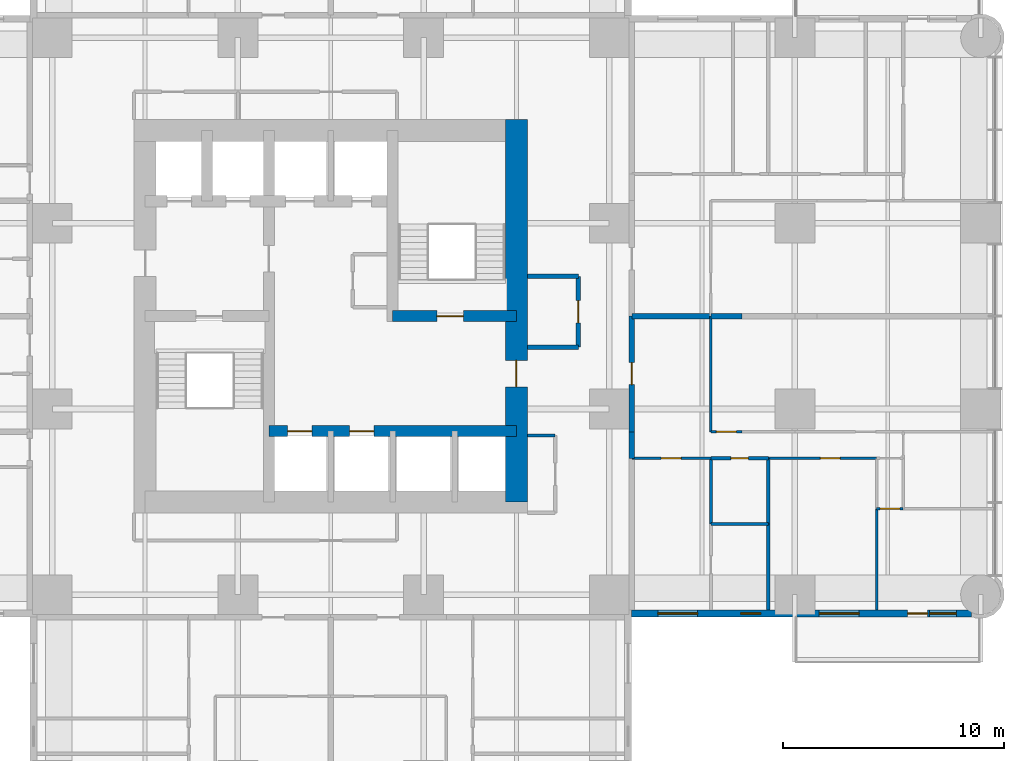
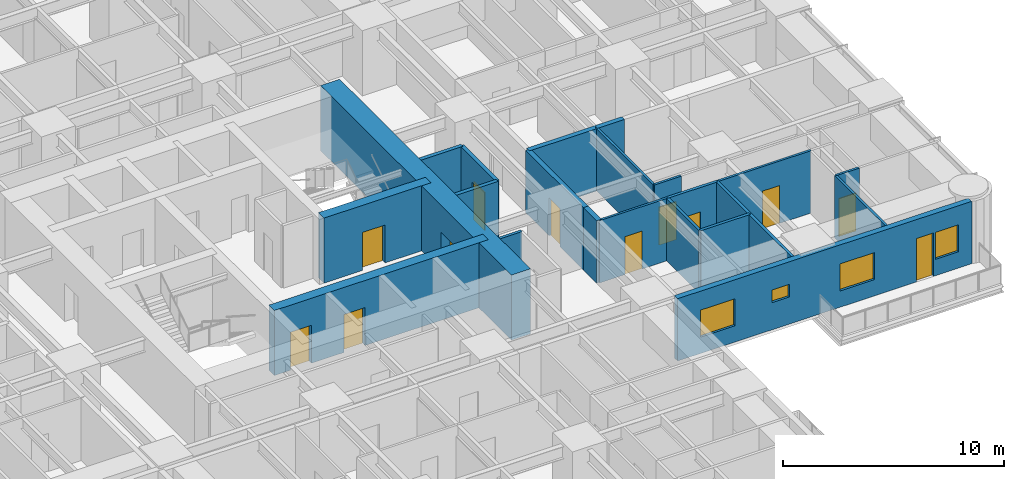
# One storey, part 10 of 17: 23 walls, 12 doors, 4 windows, 16 openings.
"""IFC4 building model written with IfcOpenShell, lengths in metres."""

from ifc_helpers import new_model, si_unit, direction, frame, frame_2d, origin, place, context, subcontext, project, spatial, rectangle, extrude, material, layer, layer_set, type_object, element, fill, save


model = new_model("IFC4")

# Units and contexts
model_context = context("Model", 3, precision=1e-05, world=origin(), true_north=direction((0.0, 1.0)))
body_context = subcontext(model_context, "Body", "Model", "MODEL_VIEW")
ifc_project = project(units=[si_unit("LENGTHUNIT", "METRE"), si_unit("AREAUNIT", "SQUARE_METRE"), si_unit("VOLUMEUNIT", "CUBIC_METRE"), si_unit("PLANEANGLEUNIT", "RADIAN"), si_unit("MASSUNIT", "GRAM", prefix="KILO")], contexts=[model_context])

# Site, building, storey
site_placement = place(None, origin())
site = spatial("IfcSite", under=ifc_project, at=site_placement, CompositionType="ELEMENT")
building_placement = place(site_placement, origin())
building = spatial("IfcBuilding", under=site, at=building_placement, Name="Torre Alcanfor", CompositionType="ELEMENT")
storey_placement = place(building_placement, frame((0.0, 0.0, 81.300048828125)))
storey = spatial("IfcBuildingStorey", under=building, at=storey_placement, Name="L20", CompositionType="ELEMENT", Elevation=81.300048828125)

# Wall, opening, door
ifc_material_1 = material(Name="Concrete block masonry, hollow blocks NMX-C-404 9 MPa", Category="masonry")
ifc_layer_1 = layer(ifc_material_1, 0.25)
ifc_layer_set_1 = layer_set([ifc_layer_1], Name="Apartment entrance wall 250 EI 60")
wall_type_1 = type_object("IfcWallType", Name="Apartment entrance wall 250 EI 60", PredefinedType="PARTITIONING", material=ifc_layer_set_1)
wall_1_placement = place(storey_placement, frame((43.02490234375, 29.39990234375, 0.0), z_axis=(0.0, 0.0, 1.0), x_axis=(0.0, -1.0, 0.0)))
wall_1 = element("IfcWall", 1, at=wall_1_placement, inside=storey, type_object=wall_type_1, Name="Partition L20-CORR / L20-E2-ZAG", PredefinedType="PARTITIONING", context=body_context, shape_type="SweptSolid", body=[
    extrude(rectangle(XDim=5.22900390625, YDim=0.25, at=frame_2d((2.614501953125, 0.0))), origin(), (0.0, 0.0, 1.0), 3.449951171875),
])
opening_1_placement = place(wall_1_placement, frame((2.10009765625, 0.0, 0.0)))
opening_1 = element("IfcOpeningElement", 2, at=opening_1_placement, cuts=wall_1, Name="Opening D-A1", PredefinedType="OPENING", context=body_context, shape_type="SweptSolid", body=[
    extrude(rectangle(XDim=1.0, YDim=2.10009765625, at=frame_2d((0.5, 1.050048828125))), frame((0.0, 0.135009765625, 0.0), z_axis=(0.0, -1.0, 0.0), x_axis=(1.0, 0.0, 0.0)), (0.0, 0.0, 1.0), 0.27001953125),
])
ifc_material_2 = material(Name="Galvanised steel sheet ASTM A653", Category="steel")
door_type_1 = type_object("IfcDoorType", Name="Apartment entrance door FD60 1000x2100", OperationType="SINGLE_SWING_LEFT", PredefinedType="DOOR", material=ifc_material_2)
door_1_placement = place(opening_1_placement, origin())
door_1 = element("IfcDoor", 3, at=door_1_placement, inside=storey, type_object=door_type_1, Name="Apartment entrance L20-E2", OperationType="SINGLE_SWING_LEFT", OverallHeight=2.10009765625, OverallWidth=1.0, PredefinedType="DOOR", context=body_context, shape_type="SweptSolid", body=[
    extrude(rectangle(XDim=1.0, YDim=2.10009765625, at=frame_2d((0.5, 1.050048828125))), frame((0.0, 0.02490234375, 0.0), z_axis=(0.0, -1.0, 0.0), x_axis=(1.0, 0.0, 0.0)), (0.0, 0.0, 1.0), 0.050048828125),
])
fill(opening_1, door_1)

# Walls
wall_2_placement = place(storey_placement, frame((43.02490234375, 24.1708984375, 0.0), z_axis=(0.0, 0.0, 1.0), x_axis=(0.0, -1.0, 0.0)))
element("IfcWall", 4, at=wall_2_placement, inside=storey, type_object=wall_type_1, Name="Partition L20-CORR / L20-E2-HALL", PredefinedType="PARTITIONING", context=body_context, shape_type="SweptSolid", body=[
    extrude(rectangle(XDim=1.199951171875, YDim=0.25, at=frame_2d((0.60009765625, 0.0))), origin(), (0.0, 0.0, 1.0), 3.449951171875),
])
ifc_material_3 = material(Name="Gypsum board on steel studs", Category="steel")
ifc_layer_2 = layer(ifc_material_3, 0.1201171875)
ifc_layer_set_2 = layer_set([ifc_layer_2], Name="Apartment partition 120")
wall_type_2 = type_object("IfcWallType", Name="Apartment partition 120", PredefinedType="PARTITIONING", material=ifc_layer_set_2)
wall_3_placement = place(storey_placement, frame((46.60009765625, 29.39990234375, 0.0), z_axis=(0.0, 0.0, 1.0), x_axis=(0.0, -1.0, 0.0)))
element("IfcWall", 5, at=wall_3_placement, inside=storey, type_object=wall_type_2, Name="Partition L20-E2-ZAG / L20-E2-LAUND", PredefinedType="PARTITIONING", context=body_context, shape_type="SweptSolid", body=[
    extrude(rectangle(XDim=5.22900390625, YDim=0.1201171875, at=frame_2d((2.614501953125, 0.0))), origin(), (0.0, 0.0, 1.0), 3.449951171875),
])

# Wall, opening, door
wall_4_placement = place(storey_placement, frame((48.0, 24.1708984375, 0.0), z_axis=(0.0, 0.0, 1.0), x_axis=(-1.0, 0.0, 0.0)))
wall_4 = element("IfcWall", 6, at=wall_4_placement, inside=storey, type_object=wall_type_2, Name="Partition L20-E2-LAUND / L20-E2-HALL", PredefinedType="PARTITIONING", context=body_context, shape_type="SweptSolid", body=[
    extrude(rectangle(XDim=1.39990234375, YDim=0.1201171875, at=frame_2d((0.699951171875, 0.0))), origin(), (0.0, 0.0, 1.0), 3.449951171875),
])
opening_2_placement = place(wall_4_placement, frame((0.25, 0.0, 0.0)))
opening_2 = element("IfcOpeningElement", 7, at=opening_2_placement, cuts=wall_4, Name="Opening D-R1", PredefinedType="OPENING", context=body_context, shape_type="SweptSolid", body=[
    extrude(rectangle(XDim=0.89990234375, YDim=2.10009765625, at=frame_2d((0.449951171875, 1.050048828125))), frame((0.0, 0.070068359375, 0.0), z_axis=(0.0, -1.0, 0.0), x_axis=(1.0, 0.0, 0.0)), (0.0, 0.0, 1.0), 0.14013671875),
])
ifc_material_4 = material(Name="Timber", Category="wood")
door_type_2 = type_object("IfcDoorType", Name="Internal door 900x2100", OperationType="SINGLE_SWING_LEFT", PredefinedType="DOOR", material=ifc_material_4)
door_2_placement = place(opening_2_placement, frame((0.89990234375, 0.0, 0.0), z_axis=(0.0, 0.0, 1.0), x_axis=(-1.0, 0.0, 0.0)))
door_2 = element("IfcDoor", 8, at=door_2_placement, inside=storey, type_object=door_type_2, Name="Door L20-E2 laund", OperationType="SINGLE_SWING_RIGHT", OverallHeight=2.10009765625, OverallWidth=0.89990234375, PredefinedType="DOOR", context=body_context, shape_type="SweptSolid", body=[
    extrude(rectangle(XDim=0.89990234375, YDim=2.10009765625, at=frame_2d((0.449951171875, 1.050048828125))), frame((0.0, 0.025146484375, 0.0), z_axis=(0.0, -1.0, 0.0), x_axis=(1.0, 0.0, 0.0)), (0.0, 0.0, 1.0), 0.050048828125),
])
fill(opening_2, door_2)

wall_5_placement = place(storey_placement, frame((46.60009765625, 22.970947265625, 0.0), z_axis=(0.0, 0.0, 1.0), x_axis=(-1.0, 0.0, 0.0)))
wall_5 = element("IfcWall", 9, at=wall_5_placement, inside=storey, type_object=wall_type_2, Name="Partition L20-E2-HALL / L20-E2-SERV", PredefinedType="PARTITIONING", context=body_context, shape_type="SweptSolid", body=[
    extrude(rectangle(XDim=3.5751953125, YDim=0.1201171875, at=frame_2d((1.78759765625, 0.0))), origin(), (0.0, 0.0, 1.0), 3.449951171875),
])
opening_3_placement = place(wall_5_placement, frame((1.35009765625, 0.0, 0.0)))
opening_3 = element("IfcOpeningElement", 10, at=opening_3_placement, cuts=wall_5, Name="Opening D-R1", PredefinedType="OPENING", context=body_context, shape_type="SweptSolid", body=[
    extrude(rectangle(XDim=0.89990234375, YDim=2.10009765625, at=frame_2d((0.449951171875, 1.050048828125))), frame((0.0, 0.070068359375, 0.0), z_axis=(0.0, -1.0, 0.0), x_axis=(1.0, 0.0, 0.0)), (0.0, 0.0, 1.0), 0.14013671875),
])
door_3_placement = place(opening_3_placement, origin())
door_3 = element("IfcDoor", 11, at=door_3_placement, inside=storey, type_object=door_type_2, Name="Door L20-E2 serv", OperationType="SINGLE_SWING_RIGHT", OverallHeight=2.10009765625, OverallWidth=0.89990234375, PredefinedType="DOOR", context=body_context, shape_type="SweptSolid", body=[
    extrude(rectangle(XDim=0.89990234375, YDim=2.10009765625, at=frame_2d((0.449951171875, 1.050048828125))), frame((0.0, 0.02490234375, 0.0), z_axis=(0.0, -1.0, 0.0), x_axis=(1.0, 0.0, 0.0)), (0.0, 0.0, 1.0), 0.050048828125),
])
fill(opening_3, door_3)

wall_6_placement = place(storey_placement, frame((54.10009765625, 22.970947265625, 0.0), z_axis=(0.0, 0.0, 1.0), x_axis=(-1.0, 0.0, 0.0)))
wall_6 = element("IfcWall", 12, at=wall_6_placement, inside=storey, type_object=wall_type_2, Name="Partition L20-E2-HALL / L20-E2-BED3", PredefinedType="PARTITIONING", context=body_context, shape_type="SweptSolid", body=[
    extrude(rectangle(XDim=4.900146484375, YDim=0.1201171875, at=frame_2d((2.4501953125, 0.0))), origin(), (0.0, 0.0, 1.0), 3.449951171875),
])
opening_4_placement = place(wall_6_placement, frame((1.64990234375, 0.0, 0.0)))
opening_4 = element("IfcOpeningElement", 13, at=opening_4_placement, cuts=wall_6, Name="Opening D-R1", PredefinedType="OPENING", context=body_context, shape_type="SweptSolid", body=[
    extrude(rectangle(XDim=0.89990234375, YDim=2.10009765625, at=frame_2d((0.449951171875, 1.050048828125))), frame((0.0, 0.070068359375, 0.0), z_axis=(0.0, -1.0, 0.0), x_axis=(1.0, 0.0, 0.0)), (0.0, 0.0, 1.0), 0.14013671875),
])
door_4_placement = place(opening_4_placement, origin())
door_4 = element("IfcDoor", 14, at=door_4_placement, inside=storey, type_object=door_type_2, Name="Door L20-E2 bed3", OperationType="SINGLE_SWING_LEFT", OverallHeight=2.10009765625, OverallWidth=0.89990234375, PredefinedType="DOOR", context=body_context, shape_type="SweptSolid", body=[
    extrude(rectangle(XDim=0.89990234375, YDim=2.10009765625, at=frame_2d((0.449951171875, 1.050048828125))), frame((0.0, 0.02490234375, 0.0), z_axis=(0.0, -1.0, 0.0), x_axis=(1.0, 0.0, 0.0)), (0.0, 0.0, 1.0), 0.050048828125),
])
fill(opening_4, door_4)

# Wall
wall_7_placement = place(storey_placement, frame((54.10009765625, 20.68603515625, 0.0), z_axis=(0.0, 0.0, 1.0), x_axis=(0.0, -1.0, 0.0)))
element("IfcWall", 15, at=wall_7_placement, inside=storey, type_object=wall_type_2, Name="Partition L20-E2-BED3 / L20-E2-MASTER", PredefinedType="PARTITIONING", context=body_context, shape_type="SweptSolid", body=[
    extrude(rectangle(XDim=4.5859375, YDim=0.1201171875, at=frame_2d((2.29296875, 0.0))), origin(), (0.0, 0.0, 1.0), 3.449951171875),
])

# Wall, opening, door
wall_8_placement = place(storey_placement, frame((55.300048828125, 20.68603515625, 0.0), z_axis=(0.0, 0.0, 1.0), x_axis=(-1.0, 0.0, 0.0)))
wall_8 = element("IfcWall", 16, at=wall_8_placement, inside=storey, type_object=wall_type_2, Name="Partition L20-E2-VEST / L20-E2-MASTER", PredefinedType="PARTITIONING", context=body_context, shape_type="SweptSolid", body=[
    extrude(rectangle(XDim=1.199951171875, YDim=0.1201171875, at=frame_2d((0.60009765625, 0.0))), origin(), (0.0, 0.0, 1.0), 3.449951171875),
])
opening_5_placement = place(wall_8_placement, frame((0.14990234375, 0.0, 0.0)))
opening_5 = element("IfcOpeningElement", 17, at=opening_5_placement, cuts=wall_8, Name="Opening D-R1", PredefinedType="OPENING", context=body_context, shape_type="SweptSolid", body=[
    extrude(rectangle(XDim=0.89990234375, YDim=2.10009765625, at=frame_2d((0.449951171875, 1.050048828125))), frame((0.0, 0.070068359375, 0.0), z_axis=(0.0, -1.0, 0.0), x_axis=(1.0, 0.0, 0.0)), (0.0, 0.0, 1.0), 0.14013671875),
])
door_5_placement = place(opening_5_placement, frame((0.89990234375, 0.0, 0.0), z_axis=(0.0, 0.0, 1.0), x_axis=(-1.0, 0.0, 0.0)))
door_5 = element("IfcDoor", 18, at=door_5_placement, inside=storey, type_object=door_type_2, Name="Door L20-E2 master", OperationType="SINGLE_SWING_RIGHT", OverallHeight=2.10009765625, OverallWidth=0.89990234375, PredefinedType="DOOR", context=body_context, shape_type="SweptSolid", body=[
    extrude(rectangle(XDim=0.89990234375, YDim=2.10009765625, at=frame_2d((0.449951171875, 1.050048828125))), frame((0.0, 0.025146484375, 0.0), z_axis=(0.0, -1.0, 0.0), x_axis=(1.0, 0.0, 0.0)), (0.0, 0.0, 1.0), 0.050048828125),
])
fill(opening_5, door_5)

# Wall, openings, doors
ifc_material_5 = material(Name="Concrete f'c 70 MPa", Category="concrete")
ifc_layer_3 = layer(ifc_material_5, 0.5)
ifc_layer_set_3 = layer_set([ifc_layer_3], Name="Core inner wall 500 f'c70")
wall_type_3 = type_object("IfcWallType", Name="Core inner wall 500 f'c70", PredefinedType="SHEAR", material=ifc_layer_set_3)
wall_9_placement = place(storey_placement, frame((26.60009765625, 24.199951171875, 0.0), z_axis=(0.0, 0.0, 1.0), x_axis=(1.0, 0.0, 0.0)))
wall_9 = element("IfcWall", 19, at=wall_9_placement, inside=storey, type_object=wall_type_3, Name="Core wall Y242 L20", PredefinedType="SHEAR", context=body_context, shape_type="SweptSolid", body=[
    extrude(rectangle(XDim=11.199951171875, YDim=0.5, at=frame_2d((5.60009765625, 0.0))), origin(), (0.0, 0.0, 1.0), 3.599853515625),
])
opening_6_placement = place(wall_9_placement, frame((0.85009765625, 0.0, 0.0)))
opening_6 = element("IfcOpeningElement", 20, at=opening_6_placement, cuts=wall_9, Name="Opening LD1", PredefinedType="OPENING", context=body_context, shape_type="SweptSolid", body=[
    extrude(rectangle(XDim=1.10009765625, YDim=2.10009765625, at=frame_2d((0.550048828125, 1.050048828125))), frame((0.0, 0.260009765625, 0.0), z_axis=(0.0, -1.0, 0.0), x_axis=(1.0, 0.0, 0.0)), (0.0, 0.0, 1.0), 0.52001953125),
])
opening_7_placement = place(wall_9_placement, frame((3.64990234375, 0.0, 0.0)))
opening_7 = element("IfcOpeningElement", 21, at=opening_7_placement, cuts=wall_9, Name="Opening LD1", PredefinedType="OPENING", context=body_context, shape_type="SweptSolid", body=[
    extrude(rectangle(XDim=1.10009765625, YDim=2.10009765625, at=frame_2d((0.550048828125, 1.050048828125))), frame((0.0, 0.260009765625, 0.0), z_axis=(0.0, -1.0, 0.0), x_axis=(1.0, 0.0, 0.0)), (0.0, 0.0, 1.0), 0.52001953125),
])
ifc_material_6 = material(Name="Galvanised steel sheet ASTM A653", Category="steel")
door_type_3 = type_object("IfcDoorType", Name="Lift landing door 1100x2100", OperationType="DOUBLE_DOOR_SLIDING", PredefinedType="DOOR", material=ifc_material_6)
door_6_placement = place(opening_6_placement, origin())
door_6 = element("IfcDoor", 22, at=door_6_placement, inside=storey, type_object=door_type_3, Name="Lift landing door PA1 L20", OperationType="DOUBLE_DOOR_SLIDING", OverallHeight=2.10009765625, OverallWidth=1.10009765625, PredefinedType="DOOR", context=body_context, shape_type="SweptSolid", body=[
    extrude(rectangle(XDim=1.10009765625, YDim=2.10009765625, at=frame_2d((0.550048828125, 1.050048828125))), frame((0.0, 0.02490234375, 0.0), z_axis=(0.0, -1.0, 0.0), x_axis=(1.0, 0.0, 0.0)), (0.0, 0.0, 1.0), 0.050048828125),
])
fill(opening_6, door_6)
door_7_placement = place(opening_7_placement, origin())
door_7 = element("IfcDoor", 23, at=door_7_placement, inside=storey, type_object=door_type_3, Name="Lift landing door PA2 L20", OperationType="DOUBLE_DOOR_SLIDING", OverallHeight=2.10009765625, OverallWidth=1.10009765625, PredefinedType="DOOR", context=body_context, shape_type="SweptSolid", body=[
    extrude(rectangle(XDim=1.10009765625, YDim=2.10009765625, at=frame_2d((0.550048828125, 1.050048828125))), frame((0.0, 0.02490234375, 0.0), z_axis=(0.0, -1.0, 0.0), x_axis=(1.0, 0.0, 0.0)), (0.0, 0.0, 1.0), 0.050048828125),
])
fill(opening_7, door_7)

# Wall, opening, door
wall_10_placement = place(storey_placement, frame((32.199951171875, 29.39990234375, 0.0), z_axis=(0.0, 0.0, 1.0), x_axis=(1.0, 0.0, 0.0)))
wall_10 = element("IfcWall", 24, at=wall_10_placement, inside=storey, type_object=wall_type_3, Name="Core wall Y294E L20", PredefinedType="SHEAR", context=body_context, shape_type="SweptSolid", body=[
    extrude(rectangle(XDim=5.60009765625, YDim=0.5, at=frame_2d((2.800048828125, 0.0))), origin(), (0.0, 0.0, 1.0), 3.599853515625),
])
opening_8_placement = place(wall_10_placement, frame((2.0, 0.0, 0.0)))
opening_8 = element("IfcOpeningElement", 25, at=opening_8_placement, cuts=wall_10, Name="Opening D-S2", PredefinedType="OPENING", context=body_context, shape_type="SweptSolid", body=[
    extrude(rectangle(XDim=1.199951171875, YDim=2.10009765625, at=frame_2d((0.60009765625, 1.050048828125))), frame((0.0, 0.260009765625, 0.0), z_axis=(0.0, -1.0, 0.0), x_axis=(1.0, 0.0, 0.0)), (0.0, 0.0, 1.0), 0.52001953125),
])
ifc_material_7 = material(Name="Galvanised steel sheet ASTM A653", Category="steel")
door_type_4 = type_object("IfcDoorType", Name="Stair enclosure door FD120 1200x2100", OperationType="SINGLE_SWING_LEFT", PredefinedType="DOOR", material=ifc_material_7)
door_8_placement = place(opening_8_placement, origin())
door_8 = element("IfcDoor", 26, at=door_8_placement, inside=storey, type_object=door_type_4, Name="Stair S2 door L20", OperationType="SINGLE_SWING_LEFT", OverallHeight=2.10009765625, OverallWidth=1.199951171875, PredefinedType="DOOR", context=body_context, shape_type="SweptSolid", body=[
    extrude(rectangle(XDim=1.199951171875, YDim=2.10009765625, at=frame_2d((0.60009765625, 1.050048828125))), frame((0.0, 0.02490234375, 0.0), z_axis=(0.0, -1.0, 0.0), x_axis=(1.0, 0.0, 0.0)), (0.0, 0.0, 1.0), 0.050048828125),
])
fill(opening_8, door_8)

ifc_material_8 = material(Name="Concrete f'c 70 MPa", Category="concrete")
ifc_layer_4 = layer(ifc_material_8, 1.0)
ifc_layer_set_4 = layer_set([ifc_layer_4], Name="Core wall 1000 f'c70")
wall_type_4 = type_object("IfcWallType", Name="Core wall 1000 f'c70", PredefinedType="SHEAR", material=ifc_layer_set_4)
wall_11_placement = place(storey_placement, frame((37.800048828125, 21.0, 0.0), z_axis=(0.0, 0.0, 1.0), x_axis=(0.0, 1.0, 0.0)))
wall_11 = element("IfcWall", 27, at=wall_11_placement, inside=storey, type_object=wall_type_4, Name="Core wall OUT-E L20", PredefinedType="SHEAR", context=body_context, shape_type="SweptSolid", body=[
    extrude(rectangle(XDim=17.300048828125, YDim=1.0, at=frame_2d((8.64990234375, 0.0))), origin(), (0.0, 0.0, 1.0), 3.599853515625),
])
opening_9_placement = place(wall_11_placement, frame((5.199951171875, 0.0, 0.0)))
opening_9 = element("IfcOpeningElement", 28, at=opening_9_placement, cuts=wall_11, Name="Opening D-L1", PredefinedType="OPENING", context=body_context, shape_type="SweptSolid", body=[
    extrude(rectangle(XDim=1.199951171875, YDim=2.10009765625, at=frame_2d((0.60009765625, 1.050048828125))), frame((0.0, 0.510009765625, 0.0), z_axis=(0.0, -1.0, 0.0), x_axis=(1.0, 0.0, 0.0)), (0.0, 0.0, 1.0), 1.02001953125),
])
ifc_material_9 = material(Name="Galvanised steel sheet ASTM A653", Category="steel")
door_type_5 = type_object("IfcDoorType", Name="Lobby door FD120 1200x2100", OperationType="SINGLE_SWING_LEFT", PredefinedType="DOOR", material=ifc_material_9)
door_9_placement = place(opening_9_placement, origin())
door_9 = element("IfcDoor", 29, at=door_9_placement, inside=storey, type_object=door_type_5, Name="Lift lobby entrance door L20", OperationType="SINGLE_SWING_LEFT", OverallHeight=2.10009765625, OverallWidth=1.199951171875, PredefinedType="DOOR", context=body_context, shape_type="SweptSolid", body=[
    extrude(rectangle(XDim=1.199951171875, YDim=2.10009765625, at=frame_2d((0.60009765625, 1.050048828125))), frame((0.0, 0.02490234375, 0.0), z_axis=(0.0, -1.0, 0.0), x_axis=(1.0, 0.0, 0.0)), (0.0, 0.0, 1.0), 0.050048828125),
])
fill(opening_9, door_9)

# Wall, openings, door, windows
ifc_material_10 = material(Name="Limestone cladding", Category="masonry")
ifc_layer_5 = layer(ifc_material_10, 0.0400390625, Name="Facing")
ifc_material_11 = material(Name="Ventilated air cavity")
ifc_layer_6 = layer(ifc_material_11, 0.02001953125, ventilated=True, Name="Ventilated joint")
ifc_material_12 = material(Name="Mineral wool insulation", Category="insulation")
ifc_layer_7 = layer(ifc_material_12, 0.10009765625, Name="Insulation")
ifc_material_13 = material(Name="Concrete f'c 35 MPa", Category="concrete")
ifc_layer_8 = layer(ifc_material_13, 0.139892578125, Name="Backing")
ifc_layer_set_5 = layer_set([ifc_layer_5, ifc_layer_6, ifc_layer_7, ifc_layer_8], Name="External wall stone-clad 300")
wall_type_5 = type_object("IfcWallType", Name="External wall stone-clad 300", PredefinedType="SOLIDWALL", material=ifc_layer_set_5)
wall_12_placement = place(storey_placement, frame((43.0, 15.949951171875, 0.0), z_axis=(0.0, 0.0, 1.0), x_axis=(1.0, 0.0, 0.0)))
wall_12 = element("IfcWall", 30, at=wall_12_placement, inside=storey, type_object=wall_type_5, Name="External wall L20 7", PredefinedType="SOLIDWALL", context=body_context, shape_type="SweptSolid", body=[
    extrude(rectangle(XDim=15.39990234375, YDim=0.300048828125, at=frame_2d((7.699951171875, 0.0))), origin(), (0.0, 0.0, 1.0), 3.449951171875),
])
opening_10_placement = place(wall_12_placement, frame((1.199951171875, 0.0, 0.89990234375)))
opening_10 = element("IfcOpeningElement", 31, at=opening_10_placement, cuts=wall_12, Name="Opening W2", PredefinedType="OPENING", context=body_context, shape_type="SweptSolid", body=[
    extrude(rectangle(XDim=1.800048828125, YDim=1.5, at=frame_2d((0.89990234375, 0.75))), frame((0.0, 0.159912109375, 0.0), z_axis=(0.0, -1.0, 0.0), x_axis=(1.0, 0.0, 0.0)), (0.0, 0.0, 1.0), 0.320068359375),
])
opening_11_placement = place(wall_12_placement, frame((4.949951171875, 0.0, 1.5)))
opening_11 = element("IfcOpeningElement", 32, at=opening_11_placement, cuts=wall_12, Name="Opening W3", PredefinedType="OPENING", context=body_context, shape_type="SweptSolid", body=[
    extrude(rectangle(XDim=0.89990234375, YDim=0.699951171875, at=frame_2d((0.449951171875, 0.35009765625))), frame((0.0, 0.159912109375, 0.0), z_axis=(0.0, -1.0, 0.0), x_axis=(1.0, 0.0, 0.0)), (0.0, 0.0, 1.0), 0.320068359375),
])
opening_12_placement = place(wall_12_placement, frame((8.5, 0.0, 0.89990234375)))
opening_12 = element("IfcOpeningElement", 33, at=opening_12_placement, cuts=wall_12, Name="Opening W2", PredefinedType="OPENING", context=body_context, shape_type="SweptSolid", body=[
    extrude(rectangle(XDim=1.800048828125, YDim=1.5, at=frame_2d((0.89990234375, 0.75))), frame((0.0, 0.159912109375, 0.0), z_axis=(0.0, -1.0, 0.0), x_axis=(1.0, 0.0, 0.0)), (0.0, 0.0, 1.0), 0.320068359375),
])
opening_13_placement = place(wall_12_placement, frame((12.5, 0.0, 0.0)))
opening_13 = element("IfcOpeningElement", 34, at=opening_13_placement, cuts=wall_12, Name="Opening D-B1", PredefinedType="OPENING", context=body_context, shape_type="SweptSolid", body=[
    extrude(rectangle(XDim=0.89990234375, YDim=2.39990234375, at=frame_2d((0.449951171875, 1.199951171875))), frame((0.0, 0.159912109375, 0.0), z_axis=(0.0, -1.0, 0.0), x_axis=(1.0, 0.0, 0.0)), (0.0, 0.0, 1.0), 0.320068359375),
])
opening_14_placement = place(wall_12_placement, frame((13.5, 0.0, 0.89990234375)))
opening_14 = element("IfcOpeningElement", 35, at=opening_14_placement, cuts=wall_12, Name="Opening W4", PredefinedType="OPENING", context=body_context, shape_type="SweptSolid", body=[
    extrude(rectangle(XDim=1.199951171875, YDim=1.5, at=frame_2d((0.60009765625, 0.75))), frame((0.0, 0.159912109375, 0.0), z_axis=(0.0, -1.0, 0.0), x_axis=(1.0, 0.0, 0.0)), (0.0, 0.0, 1.0), 0.320068359375),
])
ifc_material_14 = material(Name="Aluminium and glass", Category="aluminium")
door_type_6 = type_object("IfcDoorType", Name="Balcony door glazed 900x2400", OperationType="SINGLE_SWING_LEFT", PredefinedType="DOOR", material=ifc_material_14)
door_10_placement = place(opening_13_placement, origin())
door_10 = element("IfcDoor", 36, at=door_10_placement, inside=storey, type_object=door_type_6, Name="Balcony door L20-E2", OperationType="SINGLE_SWING_LEFT", OverallHeight=2.39990234375, OverallWidth=0.89990234375, PredefinedType="DOOR", context=body_context, shape_type="SweptSolid", body=[
    extrude(rectangle(XDim=0.89990234375, YDim=2.39990234375, at=frame_2d((0.449951171875, 1.199951171875))), frame((0.0, 0.02490234375, 0.0), z_axis=(0.0, -1.0, 0.0), x_axis=(1.0, 0.0, 0.0)), (0.0, 0.0, 1.0), 0.050048828125),
])
fill(opening_13, door_10)
ifc_material_15 = material(Name="Aluminium frame with clear double glazing", Category="aluminium")
window_type_1 = type_object("IfcWindowType", Name="Window bathroom 900x700", PartitioningType="SINGLE_PANEL", PredefinedType="WINDOW", material=ifc_material_15)
window_1_placement = place(opening_11_placement, origin())
window_1 = element("IfcWindow", 37, at=window_1_placement, inside=storey, type_object=window_type_1, Name="Window W3 L20-E2", OverallHeight=0.699951171875, OverallWidth=0.89990234375, PartitioningType="SINGLE_PANEL", PredefinedType="WINDOW", context=body_context, shape_type="SweptSolid", body=[
    extrude(rectangle(XDim=0.89990234375, YDim=0.699951171875, at=frame_2d((0.449951171875, 0.35009765625))), frame((0.0, 0.030029296875, 0.0), z_axis=(0.0, -1.0, 0.0), x_axis=(1.0, 0.0, 0.0)), (0.0, 0.0, 1.0), 0.06005859375),
])
fill(opening_11, window_1)
ifc_material_16 = material(Name="Aluminium frame with clear double glazing", Category="aluminium")
window_type_2 = type_object("IfcWindowType", Name="Window bedroom 1200x1500", PartitioningType="SINGLE_PANEL", PredefinedType="WINDOW", material=ifc_material_16)
window_2_placement = place(opening_14_placement, origin())
window_2 = element("IfcWindow", 38, at=window_2_placement, inside=storey, type_object=window_type_2, Name="Window W4 L20-E2", OverallHeight=1.5, OverallWidth=1.199951171875, PartitioningType="SINGLE_PANEL", PredefinedType="WINDOW", context=body_context, shape_type="SweptSolid", body=[
    extrude(rectangle(XDim=1.199951171875, YDim=1.5, at=frame_2d((0.60009765625, 0.75))), frame((0.0, 0.030029296875, 0.0), z_axis=(0.0, -1.0, 0.0), x_axis=(1.0, 0.0, 0.0)), (0.0, 0.0, 1.0), 0.06005859375),
])
fill(opening_14, window_2)
ifc_material_17 = material(Name="Aluminium frame with clear double glazing", Category="aluminium")
window_type_3 = type_object("IfcWindowType", Name="Window bedroom 1800x1500", PartitioningType="SINGLE_PANEL", PredefinedType="WINDOW", material=ifc_material_17)
window_3_placement = place(opening_10_placement, origin())
window_3 = element("IfcWindow", 39, at=window_3_placement, inside=storey, type_object=window_type_3, Name="Window W2 L20-E2", OverallHeight=1.5, OverallWidth=1.800048828125, PartitioningType="SINGLE_PANEL", PredefinedType="WINDOW", context=body_context, shape_type="SweptSolid", body=[
    extrude(rectangle(XDim=1.800048828125, YDim=1.5, at=frame_2d((0.89990234375, 0.75))), frame((0.0, 0.030029296875, 0.0), z_axis=(0.0, -1.0, 0.0), x_axis=(1.0, 0.0, 0.0)), (0.0, 0.0, 1.0), 0.06005859375),
])
fill(opening_10, window_3)
window_4_placement = place(opening_12_placement, origin())
window_4 = element("IfcWindow", 40, at=window_4_placement, inside=storey, type_object=window_type_3, Name="Window W2 L20-E2", OverallHeight=1.5, OverallWidth=1.800048828125, PartitioningType="SINGLE_PANEL", PredefinedType="WINDOW", context=body_context, shape_type="SweptSolid", body=[
    extrude(rectangle(XDim=1.800048828125, YDim=1.5, at=frame_2d((0.89990234375, 0.75))), frame((0.0, 0.030029296875, 0.0), z_axis=(0.0, -1.0, 0.0), x_axis=(1.0, 0.0, 0.0)), (0.0, 0.0, 1.0), 0.06005859375),
])
fill(opening_12, window_4)

# Walls
ifc_material_18 = material(Name="Concrete block masonry, hollow blocks NMX-C-404 9 MPa", Category="masonry")
ifc_layer_9 = layer(ifc_material_18, 0.25)
ifc_layer_set_6 = layer_set([ifc_layer_9], Name="Party wall 250 EI 60")
wall_type_6 = type_object("IfcWallType", Name="Party wall 250 EI 60", PredefinedType="PARTITIONING", material=ifc_layer_set_6)
wall_13_placement = place(storey_placement, frame((43.02490234375, 29.39990234375, 0.0), z_axis=(0.0, 0.0, 1.0), x_axis=(1.0, 0.0, 0.0)))
element("IfcWall", 41, at=wall_13_placement, inside=storey, type_object=wall_type_6, Name="Partition L20-E1-ZAG / L20-E2-ZAG", PredefinedType="PARTITIONING", context=body_context, shape_type="SweptSolid", body=[
    extrude(rectangle(XDim=3.5751953125, YDim=0.25, at=frame_2d((1.78759765625, 0.0))), origin(), (0.0, 0.0, 1.0), 3.449951171875),
])
wall_14_placement = place(storey_placement, frame((46.60009765625, 29.39990234375, 0.0), z_axis=(0.0, 0.0, 1.0), x_axis=(1.0, 0.0, 0.0)))
element("IfcWall", 42, at=wall_14_placement, inside=storey, type_object=wall_type_6, Name="Partition L20-E1-KITCHEN / L20-E2-LAUND", PredefinedType="PARTITIONING", context=body_context, shape_type="SweptSolid", body=[
    extrude(rectangle(XDim=1.39990234375, YDim=0.25, at=frame_2d((0.699951171875, 0.0))), origin(), (0.0, 0.0, 1.0), 3.449951171875),
])
ifc_material_19 = material(Name="Concrete block masonry, hollow blocks NMX-C-404 9 MPa", Category="masonry")
ifc_layer_10 = layer(ifc_material_19, 0.199951171875)
ifc_layer_set_7 = layer_set([ifc_layer_10], Name="Plant room wall 200 EI 60")
wall_type_7 = type_object("IfcWallType", Name="Plant room wall 200 EI 60", PredefinedType="PARTITIONING", material=ifc_layer_set_7)
wall_15_placement = place(storey_placement, frame((38.300048828125, 28.0, 0.0), z_axis=(0.0, 0.0, 1.0), x_axis=(1.0, 0.0, 0.0)))
element("IfcWall", 43, at=wall_15_placement, inside=storey, type_object=wall_type_7, Name="Partition L20-CORR / L20-G04", PredefinedType="PARTITIONING", context=body_context, shape_type="SweptSolid", body=[
    extrude(rectangle(XDim=2.300048828125, YDim=0.199951171875, at=frame_2d((1.14990234375, 0.0))), origin(), (0.0, 0.0, 1.0), 3.449951171875),
])

# Wall, opening, door
wall_16_placement = place(storey_placement, frame((40.60009765625, 28.0, 0.0), z_axis=(0.0, 0.0, 1.0), x_axis=(0.0, 1.0, 0.0)))
wall_16 = element("IfcWall", 44, at=wall_16_placement, inside=storey, type_object=wall_type_7, Name="Partition L20-CORR / L20-G04", PredefinedType="PARTITIONING", context=body_context, shape_type="SweptSolid", body=[
    extrude(rectangle(XDim=3.199951171875, YDim=0.199951171875, at=frame_2d((1.60009765625, 0.0))), origin(), (0.0, 0.0, 1.0), 3.449951171875),
])
opening_15_placement = place(wall_16_placement, frame((1.10009765625, 0.0, 0.0)))
opening_15 = element("IfcOpeningElement", 45, at=opening_15_placement, cuts=wall_16, Name="Opening D-K1", PredefinedType="OPENING", context=body_context, shape_type="SweptSolid", body=[
    extrude(rectangle(XDim=1.0, YDim=2.10009765625, at=frame_2d((0.5, 1.050048828125))), frame((0.0, 0.10986328125, 0.0), z_axis=(0.0, -1.0, 0.0), x_axis=(1.0, 0.0, 0.0)), (0.0, 0.0, 1.0), 0.219970703125),
])
ifc_material_20 = material(Name="Galvanised steel sheet ASTM A653", Category="steel")
door_type_7 = type_object("IfcDoorType", Name="Core room door FD60 1000x2100", OperationType="SINGLE_SWING_LEFT", PredefinedType="DOOR", material=ifc_material_20)
door_11_placement = place(opening_15_placement, origin())
door_11 = element("IfcDoor", 46, at=door_11_placement, inside=storey, type_object=door_type_7, Name="Door L20-G04 refuse and recycling store", OperationType="SINGLE_SWING_LEFT", OverallHeight=2.10009765625, OverallWidth=1.0, PredefinedType="DOOR", context=body_context, shape_type="SweptSolid", body=[
    extrude(rectangle(XDim=1.0, YDim=2.10009765625, at=frame_2d((0.5, 1.050048828125))), frame((0.0, 0.02490234375, 0.0), z_axis=(0.0, -1.0, 0.0), x_axis=(1.0, 0.0, 0.0)), (0.0, 0.0, 1.0), 0.050048828125),
])
fill(opening_15, door_11)

# Walls
wall_17_placement = place(storey_placement, frame((40.60009765625, 31.199951171875, 0.0), z_axis=(0.0, 0.0, 1.0), x_axis=(-1.0, 0.0, 0.0)))
element("IfcWall", 47, at=wall_17_placement, inside=storey, type_object=wall_type_7, Name="Partition L20-CORR / L20-G04", PredefinedType="PARTITIONING", context=body_context, shape_type="SweptSolid", body=[
    extrude(rectangle(XDim=2.300048828125, YDim=0.199951171875, at=frame_2d((1.14990234375, 0.0))), origin(), (0.0, 0.0, 1.0), 3.449951171875),
])
ifc_material_21 = material(Name="Concrete block masonry, hollow blocks NMX-C-404 9 MPa", Category="masonry")
ifc_layer_11 = layer(ifc_material_21, 0.14990234375)
ifc_layer_set_8 = layer_set([ifc_layer_11], Name="Residents' room partition 150")
wall_type_8 = type_object("IfcWallType", Name="Residents' room partition 150", PredefinedType="PARTITIONING", material=ifc_layer_set_8)
wall_18_placement = place(storey_placement, frame((39.550048828125, 24.0, 0.0), z_axis=(0.0, 0.0, 1.0), x_axis=(-1.0, 0.0, 0.0)))
element("IfcWall", 48, at=wall_18_placement, inside=storey, type_object=wall_type_8, Name="Partition L20-CORR / L20-G03", PredefinedType="PARTITIONING", context=body_context, shape_type="SweptSolid", body=[
    extrude(rectangle(XDim=1.25, YDim=0.14990234375, at=frame_2d((0.625, 0.0))), origin(), (0.0, 0.0, 1.0), 3.449951171875),
])

# Wall, opening, door
ifc_material_22 = material(Name="Cement board on steel studs", Category="steel")
ifc_layer_12 = layer(ifc_material_22, 0.14990234375)
ifc_layer_set_9 = layer_set([ifc_layer_12], Name="Wet area partition 150")
wall_type_9 = type_object("IfcWallType", Name="Wet area partition 150", PredefinedType="PARTITIONING", material=ifc_layer_set_9)
wall_19_placement = place(storey_placement, frame((49.199951171875, 22.970947265625, 0.0), z_axis=(0.0, 0.0, 1.0), x_axis=(-1.0, 0.0, 0.0)))
wall_19 = element("IfcWall", 49, at=wall_19_placement, inside=storey, type_object=wall_type_9, Name="Partition L20-E2-HALL / L20-E2-BATH1", PredefinedType="PARTITIONING", context=body_context, shape_type="SweptSolid", body=[
    extrude(rectangle(XDim=2.599853515625, YDim=0.14990234375, at=frame_2d((1.2998046875, 0.0))), origin(), (0.0, 0.0, 1.0), 3.449951171875),
])
opening_16_placement = place(wall_19_placement, frame((0.89990234375, 0.0, 0.0)))
opening_16 = element("IfcOpeningElement", 50, at=opening_16_placement, cuts=wall_19, Name="Opening D-R2", PredefinedType="OPENING", context=body_context, shape_type="SweptSolid", body=[
    extrude(rectangle(XDim=0.800048828125, YDim=2.10009765625, at=frame_2d((0.39990234375, 1.050048828125))), frame((0.0, 0.0849609375, 0.0), z_axis=(0.0, -1.0, 0.0), x_axis=(1.0, 0.0, 0.0)), (0.0, 0.0, 1.0), 0.169921875),
])
ifc_material_23 = material(Name="Timber", Category="wood")
door_type_8 = type_object("IfcDoorType", Name="Bathroom door 800x2100", OperationType="SINGLE_SWING_LEFT", PredefinedType="DOOR", material=ifc_material_23)
door_12_placement = place(opening_16_placement, origin())
door_12 = element("IfcDoor", 51, at=door_12_placement, inside=storey, type_object=door_type_8, Name="Door L20-E2 bath1", OperationType="SINGLE_SWING_LEFT", OverallHeight=2.10009765625, OverallWidth=0.800048828125, PredefinedType="DOOR", context=body_context, shape_type="SweptSolid", body=[
    extrude(rectangle(XDim=0.800048828125, YDim=2.10009765625, at=frame_2d((0.39990234375, 1.050048828125))), frame((0.0, 0.02490234375, 0.0), z_axis=(0.0, -1.0, 0.0), x_axis=(1.0, 0.0, 0.0)), (0.0, 0.0, 1.0), 0.050048828125),
])
fill(opening_16, door_12)

# Walls
wall_20_placement = place(storey_placement, frame((46.60009765625, 22.970947265625, 0.0), z_axis=(0.0, 0.0, 1.0), x_axis=(0.0, -1.0, 0.0)))
element("IfcWall", 52, at=wall_20_placement, inside=storey, type_object=wall_type_9, Name="Partition L20-E2-SERV / L20-E2-BATH1", PredefinedType="PARTITIONING", context=body_context, shape_type="SweptSolid", body=[
    extrude(rectangle(XDim=2.970947265625, YDim=0.14990234375, at=frame_2d((1.4853515625, 0.0))), origin(), (0.0, 0.0, 1.0), 3.449951171875),
])
wall_21_placement = place(storey_placement, frame((49.199951171875, 20.0, 0.0), z_axis=(0.0, 0.0, 1.0), x_axis=(-1.0, 0.0, 0.0)))
element("IfcWall", 53, at=wall_21_placement, inside=storey, type_object=wall_type_9, Name="Partition L20-E2-BATH1 / L20-E2-SBATH", PredefinedType="PARTITIONING", context=body_context, shape_type="SweptSolid", body=[
    extrude(rectangle(XDim=2.599853515625, YDim=0.14990234375, at=frame_2d((1.2998046875, 0.0))), origin(), (0.0, 0.0, 1.0), 3.449951171875),
])
wall_22_placement = place(storey_placement, frame((49.199951171875, 22.970947265625, 0.0), z_axis=(0.0, 0.0, 1.0), x_axis=(0.0, -1.0, 0.0)))
element("IfcWall", 54, at=wall_22_placement, inside=storey, type_object=wall_type_9, Name="Partition L20-E2-BATH1 / L20-E2-BED3", PredefinedType="PARTITIONING", context=body_context, shape_type="SweptSolid", body=[
    extrude(rectangle(XDim=2.970947265625, YDim=0.14990234375, at=frame_2d((1.4853515625, 0.0))), origin(), (0.0, 0.0, 1.0), 3.449951171875),
])
wall_23_placement = place(storey_placement, frame((49.199951171875, 20.0, 0.0), z_axis=(0.0, 0.0, 1.0), x_axis=(0.0, -1.0, 0.0)))
element("IfcWall", 55, at=wall_23_placement, inside=storey, type_object=wall_type_9, Name="Partition L20-E2-SBATH / L20-E2-BED3", PredefinedType="PARTITIONING", context=body_context, shape_type="SweptSolid", body=[
    extrude(rectangle(XDim=3.89990234375, YDim=0.14990234375, at=frame_2d((1.949951171875, 0.0))), origin(), (0.0, 0.0, 1.0), 3.449951171875),
])

save(model, "model.ifc")
